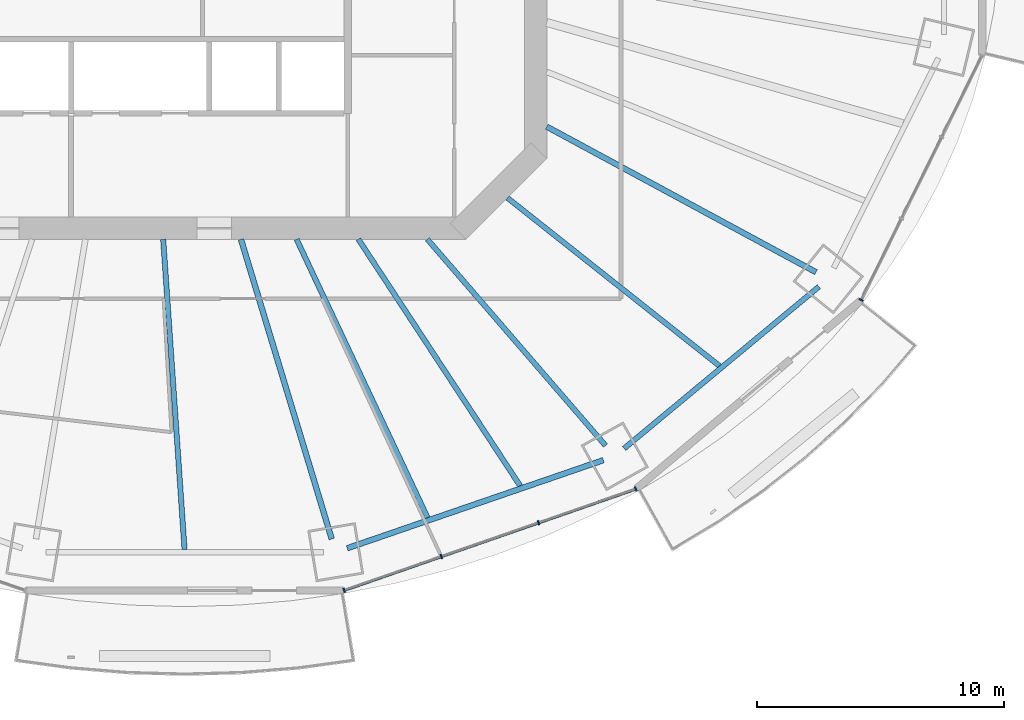
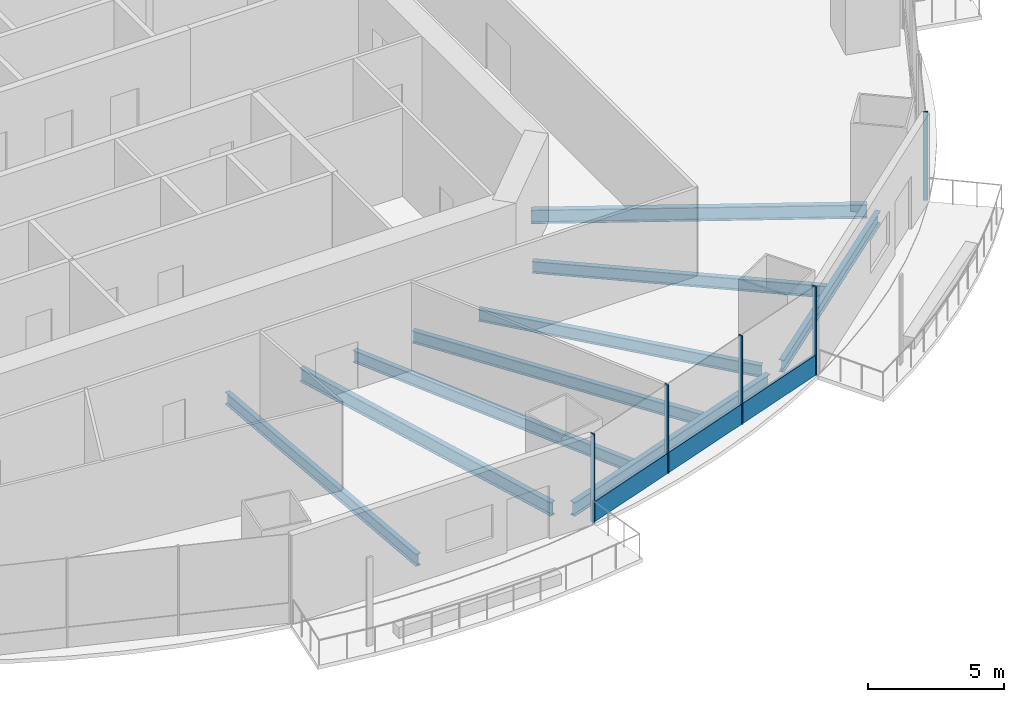
# One storey, part 4 of 21: 9 beams, 6 members, 2 elements without a shape of their own.
"""IFC4 building model written with IfcOpenShell, lengths in metres."""

from ifc_helpers import new_model, si_unit, direction, frame, origin, origin_2d, place, context, subcontext, project, spatial, rectangle, i_section, extrude, material, material_profile, profile_set, type_object, element, aggregate, save


model = new_model("IFC4")

# Units and contexts
model_context = context("Model", 3, precision=1e-05, world=origin(), true_north=direction((0.0, 1.0)))
body_context = subcontext(model_context, "Body", "Model", "MODEL_VIEW")
ifc_project = project(units=[si_unit("LENGTHUNIT", "METRE"), si_unit("AREAUNIT", "SQUARE_METRE"), si_unit("VOLUMEUNIT", "CUBIC_METRE"), si_unit("PLANEANGLEUNIT", "RADIAN"), si_unit("MASSUNIT", "GRAM", prefix="KILO")], contexts=[model_context])

# Site, building, storey
site_placement = place(None, origin())
site = spatial("IfcSite", under=ifc_project, at=site_placement, CompositionType="ELEMENT")
building_placement = place(site_placement, origin())
building = spatial("IfcBuilding", under=site, at=building_placement, Name="Marenthal Gate Tower", CompositionType="ELEMENT")
storey_placement = place(building_placement, frame((0.0, 0.0, 169.35009765625)))
storey = spatial("IfcBuildingStorey", under=building, at=storey_placement, Name="L36", CompositionType="ELEMENT", Elevation=169.35009765625)

# Curtain wall, members
ifc_material_1 = material(Name="Aluminium and glass", Category="aluminium")
curtain_wall_type = type_object("IfcCurtainWallType", Name="Curtain wall typical mid", PredefinedType="NOTDEFINED", material=ifc_material_1)
curtain_wall_1_placement = place(storey_placement, origin())
curtain_wall_1 = element("IfcCurtainWall", 1, at=curtain_wall_1_placement, inside=storey, type_object=curtain_wall_type, Name="Curtain wall L36 bay 13", PredefinedType="NOTDEFINED")
ifc_material_2 = material(Name="Aluminium", Category="aluminium")
ifc_material_profile_1 = material_profile(ifc_material_2, rectangle(XDim=0.179931640625, YDim=0.06005859375, at=origin_2d()), Name="60x180 aluminium mullion")
ifc_profile_set_1 = profile_set([ifc_material_profile_1], Name="Aluminium")
member_type_1 = type_object("IfcMemberType", Name="Mullion 60x180 typical mid", PredefinedType="MULLION", material=ifc_profile_set_1)
member_1_placement = place(storey_placement, frame((8.24658203125, -27.65185546875, 0.0), z_axis=(0.0, 0.0, 1.0), x_axis=(-0.328157600538, 0.944622987868, 0.0)))
member_1 = element("IfcMember", 2, at=member_1_placement, type_object=member_type_1, Name="Mullion L36 bay 13.1", PredefinedType="MULLION", context=body_context, shape_type="SweptSolid", body=[
    extrude(rectangle(XDim=0.179931640625, YDim=0.06005859375, at=origin_2d()), origin(), (0.0, 0.0, 1.0), 3.969970703125),
])
member_2_placement = place(storey_placement, frame((12.180908203125, -26.28515625, 0.0), z_axis=(0.0, 0.0, 1.0), x_axis=(-0.328157600538, 0.944622987868, 0.0)))
member_2 = element("IfcMember", 3, at=member_2_placement, type_object=member_type_1, Name="Mullion L36 bay 13.2", PredefinedType="MULLION", context=body_context, shape_type="SweptSolid", body=[
    extrude(rectangle(XDim=0.179931640625, YDim=0.06005859375, at=origin_2d()), origin(), (0.0, 0.0, 1.0), 3.969970703125),
])
member_3_placement = place(storey_placement, frame((16.115234375, -24.91845703125, 0.0), z_axis=(0.0, 0.0, 1.0), x_axis=(-0.328157600538, 0.944622987868, 0.0)))
member_3 = element("IfcMember", 4, at=member_3_placement, type_object=member_type_1, Name="Mullion L36 bay 13.3", PredefinedType="MULLION", context=body_context, shape_type="SweptSolid", body=[
    extrude(rectangle(XDim=0.179931640625, YDim=0.06005859375, at=origin_2d()), origin(), (0.0, 0.0, 1.0), 3.969970703125),
])
member_4_placement = place(storey_placement, frame((20.04931640625, -23.5517578125, 0.0), z_axis=(0.0, 0.0, 1.0), x_axis=(-0.328157600538, 0.944622987868, 0.0)))
member_4 = element("IfcMember", 5, at=member_4_placement, type_object=member_type_1, Name="Mullion L36 bay 13.4", PredefinedType="MULLION", context=body_context, shape_type="SweptSolid", body=[
    extrude(rectangle(XDim=0.179931640625, YDim=0.06005859375, at=origin_2d()), origin(), (0.0, 0.0, 1.0), 3.969970703125),
])

# Curtain wall, member
curtain_wall_2_placement = place(storey_placement, origin())
curtain_wall_2 = element("IfcCurtainWall", 6, at=curtain_wall_2_placement, inside=storey, type_object=curtain_wall_type, Name="Curtain wall L36 bay 15", PredefinedType="NOTDEFINED")
member_5_placement = place(storey_placement, frame((29.167724609375, -15.90234375, 0.0), z_axis=(0.0, 0.0, 1.0), x_axis=(-0.896608747182, 0.442823615536, 0.0)))
member_5 = element("IfcMember", 7, at=member_5_placement, type_object=member_type_1, Name="Mullion L36 bay 15.1", PredefinedType="MULLION", context=body_context, shape_type="SweptSolid", body=[
    extrude(rectangle(XDim=0.179931640625, YDim=0.06005859375, at=origin_2d()), origin(), (0.0, 0.0, 1.0), 3.969970703125),
])
aggregate(curtain_wall_2, [member_5])

# Member
ifc_material_3 = material(Name="Aluminium", Category="aluminium")
ifc_material_profile_2 = material_profile(ifc_material_3, rectangle(XDim=0.1201171875, YDim=0.89990234375, at=origin_2d()), Name="120x900 aluminium transom")
ifc_profile_set_2 = profile_set([ifc_material_profile_2], Name="Aluminium")
member_type_2 = type_object("IfcMemberType", Name="Transom 120x900 typical mid", PredefinedType="USERDEFINED", material=ifc_profile_set_2)
member_6_placement = place(storey_placement, frame((8.27490234375, -27.64208984375, 0.449951171875), z_axis=(0.944622278222, 0.328159643295, 0.0), x_axis=(-0.328159643295, 0.944622278222, 0.0)))
member_6 = element("IfcMember", 8, at=member_6_placement, type_object=member_type_2, Name="Transom L36 bay 13", ObjectType="TRANSOM", PredefinedType="USERDEFINED", context=body_context, shape_type="SweptSolid", body=[
    extrude(rectangle(XDim=0.1201171875, YDim=0.89990234375, at=origin_2d()), origin(), (0.0, 0.0, 1.0), 12.434814453125),
])

aggregate(curtain_wall_1, [member_1, member_2, member_3, member_4, member_6])

# Beams
ifc_material_4 = material(Name="Steel S355", Category="steel")
ifc_material_profile_3 = material_profile(ifc_material_4, i_section(OverallWidth=0.2099609375, OverallDepth=0.535888671875, WebThickness=0.010986328125, FlangeThickness=0.017333984375, FilletRadius=0.0126953125, at=origin_2d()), Name="W530X101")
ifc_profile_set_3 = profile_set([ifc_material_profile_3], Name="Steel S355")
beam_type_1 = type_object("IfcBeamType", Name="W530X101 beam", PredefinedType="BEAM", material=ifc_profile_set_3)
beam_1_placement = place(storey_placement, frame((23.435302734375, -18.572509765625, -0.447998046875), z_axis=(-0.783733990569, 0.621096636625, 0.0), x_axis=(-0.621096636625, -0.783733990569, 0.0)))
element("IfcBeam", 9, at=beam_1_placement, inside=storey, type_object=beam_type_1, Name="BM-L36-37", PredefinedType="BEAM", context=body_context, shape_type="SweptSolid", body=[
    extrude(i_section(OverallWidth=0.2099609375, OverallDepth=0.535888671875, WebThickness=0.010986328125, FlangeThickness=0.017333984375, FilletRadius=0.0126953125, at=origin_2d()), origin(), (0.0, 0.0, 1.0), 10.94189453125),
])
ifc_material_5 = material(Name="Steel S355", Category="steel")
ifc_material_profile_4 = material_profile(ifc_material_5, i_section(OverallWidth=0.2119140625, OverallDepth=0.5439453125, WebThickness=0.01318359375, FlangeThickness=0.021240234375, FilletRadius=0.0126953125, at=origin_2d()), Name="W530X123")
ifc_profile_set_4 = profile_set([ifc_material_profile_4], Name="Steel S355")
beam_type_2 = type_object("IfcBeamType", Name="W530X123 beam", PredefinedType="BEAM", material=ifc_profile_set_4)
beam_2_placement = place(storey_placement, frame((18.82568359375, -21.794921875, -0.4521484375), z_axis=(-0.653671171532, 0.756778699164, 0.0), x_axis=(-0.756778699164, -0.653671171532, 0.0)))
element("IfcBeam", 10, at=beam_2_placement, inside=storey, type_object=beam_type_2, Name="BM-L36-14", PredefinedType="BEAM", context=body_context, shape_type="SweptSolid", body=[
    extrude(i_section(OverallWidth=0.2119140625, OverallDepth=0.5439453125, WebThickness=0.01318359375, FlangeThickness=0.021240234375, FilletRadius=0.0126953125, at=origin_2d()), origin(), (0.0, 0.0, 1.0), 11.02685546875),
])
beam_3_placement = place(storey_placement, frame((1.7919921875, -25.997802734375, -0.4521484375), z_axis=(-0.068752795176, 0.997633726954, 0.0), x_axis=(-0.997633726954, -0.068752795176, 0.0)))
element("IfcBeam", 11, at=beam_3_placement, inside=storey, type_object=beam_type_2, Name="BM-L36-34", PredefinedType="BEAM", context=body_context, shape_type="SweptSolid", body=[
    extrude(i_section(OverallWidth=0.2119140625, OverallDepth=0.5439453125, WebThickness=0.01318359375, FlangeThickness=0.021240234375, FilletRadius=0.0126953125, at=origin_2d()), origin(), (0.0, 0.0, 1.0), 12.57763671875),
])
beam_4_placement = place(storey_placement, frame((11.624267578125, -24.71337890625, -0.4521484375), z_axis=(-0.42562700249, 0.904898698613, 0.0), x_axis=(-0.904898698613, -0.42562700249, 0.0)))
element("IfcBeam", 12, at=beam_4_placement, inside=storey, type_object=beam_type_2, Name="BM-L36-35", PredefinedType="BEAM", context=body_context, shape_type="SweptSolid", body=[
    extrude(i_section(OverallWidth=0.2119140625, OverallDepth=0.5439453125, WebThickness=0.01318359375, FlangeThickness=0.021240234375, FilletRadius=0.0126953125, at=origin_2d()), origin(), (0.0, 0.0, 1.0), 12.447265625),
])
beam_5_placement = place(storey_placement, frame((15.371826171875, -23.424072265625, -0.4521484375), z_axis=(-0.54865018342, 0.83605201766, 0.0), x_axis=(-0.83605201766, -0.54865018342, 0.0)))
element("IfcBeam", 13, at=beam_5_placement, inside=storey, type_object=beam_type_2, Name="BM-L36-36", PredefinedType="BEAM", context=body_context, shape_type="SweptSolid", body=[
    extrude(i_section(OverallWidth=0.2119140625, OverallDepth=0.5439453125, WebThickness=0.01318359375, FlangeThickness=0.021240234375, FilletRadius=0.0126953125, at=origin_2d()), origin(), (0.0, 0.0, 1.0), 11.929931640625),
])
beam_6_placement = place(storey_placement, frame((19.57861328125, -21.913818359375, -0.4521484375), z_axis=(0.769269111774, 0.638924904563, 0.0), x_axis=(-0.638924904563, 0.769269111774, 0.0)))
element("IfcBeam", 14, at=beam_6_placement, inside=storey, type_object=beam_type_2, Name="BM-L36-54", PredefinedType="BEAM", context=body_context, shape_type="SweptSolid", body=[
    extrude(i_section(OverallWidth=0.2119140625, OverallDepth=0.5439453125, WebThickness=0.01318359375, FlangeThickness=0.021240234375, FilletRadius=0.0126953125, at=origin_2d()), origin(), (0.0, 0.0, 1.0), 10.24560546875),
])
ifc_material_6 = material(Name="Steel S355", Category="steel")
ifc_material_profile_5 = material_profile(ifc_material_6, i_section(OverallWidth=0.22900390625, OverallDepth=0.612060546875, WebThickness=0.011962890625, FlangeThickness=0.01953125, FilletRadius=0.0126953125, at=origin_2d()), Name="W610X125")
ifc_profile_set_5 = profile_set([ifc_material_profile_5], Name="Steel S355")
beam_type_3 = type_object("IfcBeamType", Name="W610X125 beam", PredefinedType="BEAM", material=ifc_profile_set_5)
beam_7_placement = place(storey_placement, frame((7.748046875, -25.5771484375, -0.486083984375), z_axis=(-0.28992932178, 0.957048059594, 0.0), x_axis=(-0.957048059594, -0.28992932178, 0.0)))
element("IfcBeam", 15, at=beam_7_placement, inside=storey, type_object=beam_type_3, Name="BM-L36-13", PredefinedType="BEAM", context=body_context, shape_type="SweptSolid", body=[
    extrude(i_section(OverallWidth=0.22900390625, OverallDepth=0.612060546875, WebThickness=0.011962890625, FlangeThickness=0.01953125, FilletRadius=0.0126953125, at=origin_2d()), origin(), (0.0, 0.0, 1.0), 12.67138671875),
])
beam_8_placement = place(storey_placement, frame((27.341552734375, -14.781494140625, -0.486083984375), z_axis=(-0.87967842248, 0.475568999224, 0.0), x_axis=(-0.475568999224, -0.87967842248, 0.0)))
element("IfcBeam", 16, at=beam_8_placement, inside=storey, type_object=beam_type_3, Name="BM-L36-15", PredefinedType="BEAM", context=body_context, shape_type="SweptSolid", body=[
    extrude(i_section(OverallWidth=0.22900390625, OverallDepth=0.612060546875, WebThickness=0.011962890625, FlangeThickness=0.01953125, FilletRadius=0.0126953125, at=origin_2d()), origin(), (0.0, 0.0, 1.0), 12.38134765625),
])
beam_9_placement = place(storey_placement, frame((8.372314453125, -25.953125, -0.486083984375), z_axis=(0.945608034311, 0.325308231445, 0.0), x_axis=(-0.325308231445, 0.945608034311, 0.0)))
element("IfcBeam", 17, at=beam_9_placement, inside=storey, type_object=beam_type_3, Name="BM-L36-53", PredefinedType="BEAM", context=body_context, shape_type="SweptSolid", body=[
    extrude(i_section(OverallWidth=0.22900390625, OverallDepth=0.612060546875, WebThickness=0.011962890625, FlangeThickness=0.01953125, FilletRadius=0.0126953125, at=origin_2d()), origin(), (0.0, 0.0, 1.0), 10.960205078125),
])

save(model, "model.ifc")
